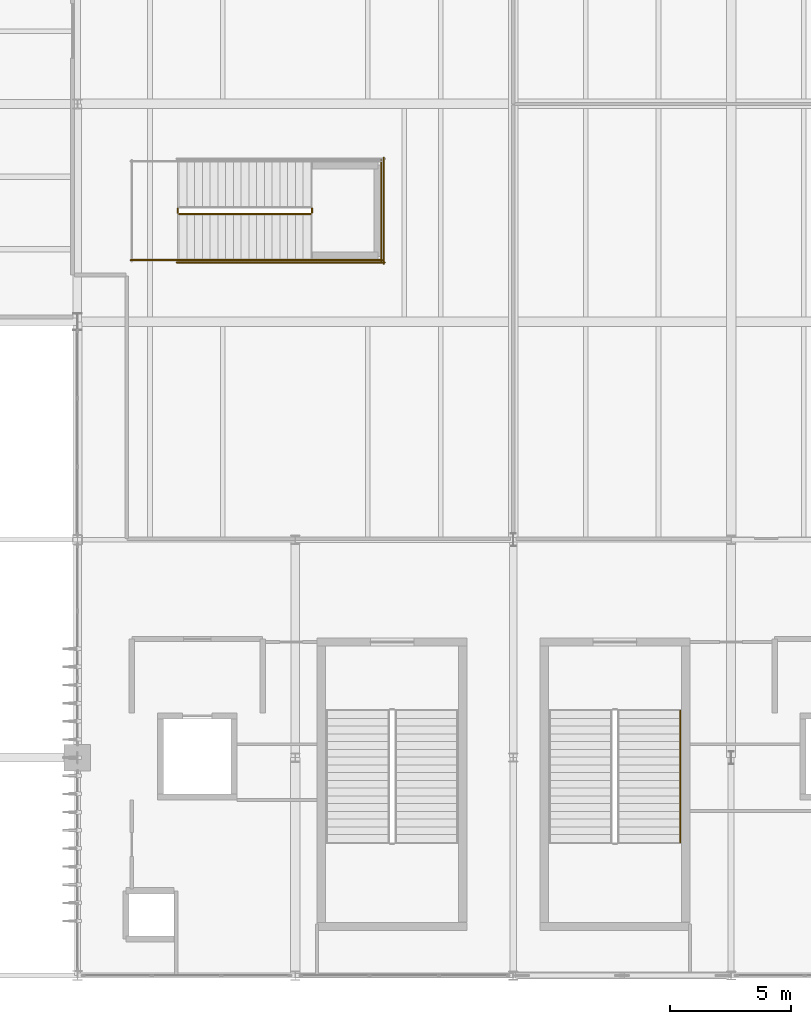
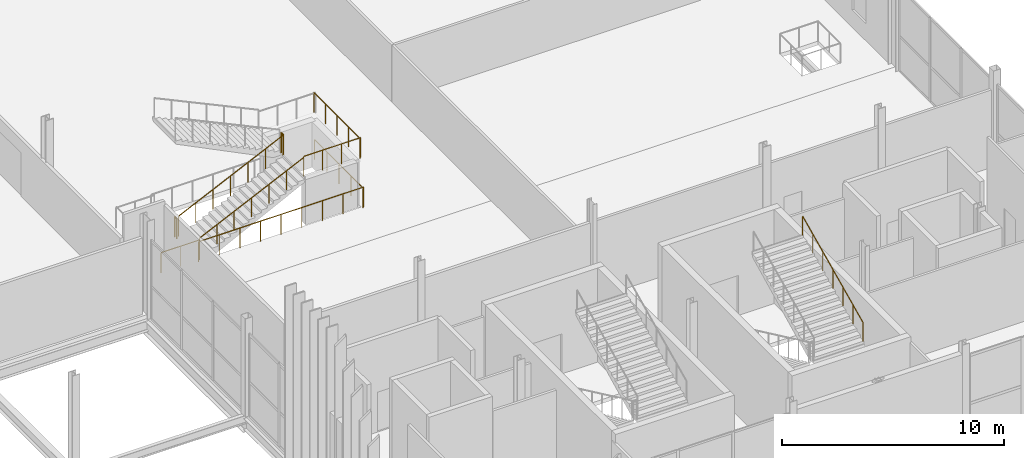
# One storey, part 110 of 119: 10 railings.
"""IFC4 building model written with IfcOpenShell, lengths in metres."""

from ifc_helpers import new_model, si_unit, direction, frame, origin, origin_2d, place, context, subcontext, project, spatial, circle, extrude, material, type_object, element, save


model = new_model("IFC4")

# Units and contexts
model_context = context("Model", 3, precision=1e-05, world=origin(), true_north=direction((0.0, 1.0)))
body_context = subcontext(model_context, "Body", "Model", "MODEL_VIEW")
ifc_project = project(units=[si_unit("LENGTHUNIT", "METRE"), si_unit("AREAUNIT", "SQUARE_METRE"), si_unit("VOLUMEUNIT", "CUBIC_METRE"), si_unit("PLANEANGLEUNIT", "RADIAN"), si_unit("MASSUNIT", "GRAM", prefix="KILO")], contexts=[model_context])

# Site, building, storey
site_placement = place(None, origin())
site = spatial("IfcSite", under=ifc_project, at=site_placement, CompositionType="ELEMENT")
building_placement = place(site_placement, origin())
building = spatial("IfcBuilding", under=site, at=building_placement, Name="Qamarlyn Nura Convention Centre", CompositionType="ELEMENT")
storey_placement = place(building_placement, frame((0.0, 0.0, 5.39990234375)))
storey = spatial("IfcBuildingStorey", under=building, at=storey_placement, Name="L01", CompositionType="ELEMENT", Elevation=5.39990234375)

# Railings
ifc_material = material(Name="Marine Grade 316 stainless steel", Category="steel")
railing_type_1 = type_object("IfcRailingType", Name="GRD-STAIR-112", PredefinedType="BALUSTRADE", material=ifc_material)
railing_1_placement = place(storey_placement, frame((157.199951171875, 31.449951171875, 0.150146484375)))
element("IfcRailing", 1, at=railing_1_placement, inside=storey, type_object=railing_type_1, Name="L01 ST-20 stair guard 1", PredefinedType="BALUSTRADE", context=body_context, shape_type="SweptSolid", body=[
    extrude(circle(Radius=0.02392578125, at=origin_2d()), frame((0.0, 0.0, 1.09619140625), z_axis=(0.90545405566, 0.0, 0.424444287379), x_axis=(0.0, 1.0, 0.0)), (0.0, 0.0, 1.0), 6.008056640625),
    extrude(circle(Radius=0.02099609375, at=origin_2d()), origin(), (0.0, 0.0, 1.0), 1.070068359375),
    extrude(circle(Radius=0.02099609375, at=origin_2d()), frame((0.90673828125, 0.0, 0.425048828125)), (0.0, 0.0, 1.0), 1.070068359375),
    extrude(circle(Radius=0.02099609375, at=origin_2d()), frame((1.813232421875, 0.0, 0.85009765625)), (0.0, 0.0, 1.0), 1.070068359375),
    extrude(circle(Radius=0.02099609375, at=origin_2d()), frame((2.719970703125, 0.0, 1.27490234375)), (0.0, 0.0, 1.0), 1.070068359375),
    extrude(circle(Radius=0.02099609375, at=origin_2d()), frame((3.626708984375, 0.0, 1.699951171875)), (0.0, 0.0, 1.0), 1.070068359375),
    extrude(circle(Radius=0.02099609375, at=origin_2d()), frame((4.533203125, 0.0, 2.125)), (0.0, 0.0, 1.0), 1.070068359375),
    extrude(circle(Radius=0.02099609375, at=origin_2d()), frame((5.43994140625, 0.0, 2.550048828125)), (0.0, 0.0, 1.0), 1.070068359375),
])
railing_2_placement = place(storey_placement, frame((162.68994140625, 31.5, 2.7001953125)))
element("IfcRailing", 2, at=railing_2_placement, inside=storey, type_object=railing_type_1, Name="L01 ST-20 stair guard 2", PredefinedType="BALUSTRADE", context=body_context, shape_type="SweptSolid", body=[
    extrude(circle(Radius=0.02392578125, at=origin_2d()), frame((0.0, 0.0, 1.09619140625), z_axis=(0.0, 1.0, 0.0), x_axis=(-1.0, 0.0, 0.0)), (0.0, 0.0, 1.0), 0.179931640625),
    extrude(circle(Radius=0.02099609375, at=origin_2d()), origin(), (0.0, 0.0, 1.0), 1.070068359375),
    extrude(circle(Radius=0.02099609375, at=origin_2d()), frame((0.0, 0.179931640625, 0.0)), (0.0, 0.0, 1.0), 1.070068359375),
])
railing_3_placement = place(storey_placement, frame((162.639892578125, 29.550048828125, 2.7001953125)))
element("IfcRailing", 3, at=railing_3_placement, inside=storey, type_object=railing_type_1, Name="L01 ST-20 stair guard 3", PredefinedType="BALUSTRADE", context=body_context, shape_type="SweptSolid", body=[
    extrude(circle(Radius=0.02392578125, at=origin_2d()), frame((0.0, 0.0, 1.09619140625), z_axis=(1.0, 0.0, 0.0), x_axis=(0.0, 1.0, 0.0)), (0.0, 0.0, 1.0), 2.960205078125),
    extrude(circle(Radius=0.02099609375, at=origin_2d()), origin(), (0.0, 0.0, 1.0), 1.070068359375),
    extrude(circle(Radius=0.02099609375, at=origin_2d()), frame((0.98681640625, 0.0, 0.0)), (0.0, 0.0, 1.0), 1.070068359375),
    extrude(circle(Radius=0.02099609375, at=origin_2d()), frame((1.973388671875, 0.0, 0.0)), (0.0, 0.0, 1.0), 1.070068359375),
    extrude(circle(Radius=0.02099609375, at=origin_2d()), frame((2.960205078125, 0.0, 0.0)), (0.0, 0.0, 1.0), 1.070068359375),
])
railing_4_placement = place(storey_placement, frame((165.550048828125, 29.5, 2.7001953125)))
element("IfcRailing", 4, at=railing_4_placement, inside=storey, type_object=railing_type_1, Name="L01 ST-20 stair guard 5", PredefinedType="BALUSTRADE", context=body_context, shape_type="SweptSolid", body=[
    extrude(circle(Radius=0.02392578125, at=origin_2d()), frame((0.0, 0.0, 1.09619140625), z_axis=(0.0, 1.0, 0.0), x_axis=(-1.0, 0.0, 0.0)), (0.0, 0.0, 1.0), 4.179931640625),
    extrude(circle(Radius=0.02099609375, at=origin_2d()), origin(), (0.0, 0.0, 1.0), 1.070068359375),
    extrude(circle(Radius=0.02099609375, at=origin_2d()), frame((0.0, 1.044921875, 0.0)), (0.0, 0.0, 1.0), 1.070068359375),
    extrude(circle(Radius=0.02099609375, at=origin_2d()), frame((0.0, 2.08984375, 0.0)), (0.0, 0.0, 1.0), 1.070068359375),
    extrude(circle(Radius=0.02099609375, at=origin_2d()), frame((0.0, 3.135009765625, 0.0)), (0.0, 0.0, 1.0), 1.070068359375),
    extrude(circle(Radius=0.02099609375, at=origin_2d()), frame((0.0, 4.179931640625, 0.0)), (0.0, 0.0, 1.0), 1.070068359375),
])
railing_5_placement = place(storey_placement, frame((157.14990234375, 31.5, 0.0)))
element("IfcRailing", 5, at=railing_5_placement, inside=storey, type_object=railing_type_1, Name="L01 ST-20 stair guard 7", PredefinedType="BALUSTRADE", context=body_context, shape_type="SweptSolid", body=[
    extrude(circle(Radius=0.02392578125, at=origin_2d()), frame((0.0, 0.0, 1.09619140625), z_axis=(0.0, 1.0, 0.0), x_axis=(-1.0, 0.0, 0.0)), (0.0, 0.0, 1.0), 0.179931640625),
    extrude(circle(Radius=0.02099609375, at=origin_2d()), origin(), (0.0, 0.0, 1.0), 1.070068359375),
    extrude(circle(Radius=0.02099609375, at=origin_2d()), frame((0.0, 0.179931640625, 0.0)), (0.0, 0.0, 1.0), 1.070068359375),
])
railing_6_placement = place(storey_placement, frame((155.199951171875, 29.550048828125, 0.0)))
element("IfcRailing", 6, at=railing_6_placement, inside=storey, type_object=railing_type_1, Name="L01 ST-20 stair guard 8", PredefinedType="BALUSTRADE", context=body_context, shape_type="SweptSolid", body=[
    extrude(circle(Radius=0.02392578125, at=origin_2d()), frame((0.0, 0.0, 1.09619140625), z_axis=(1.0, 0.0, 0.0), x_axis=(0.0, 1.0, 0.0)), (0.0, 0.0, 1.0), 2.0),
    extrude(circle(Radius=0.02099609375, at=origin_2d()), origin(), (0.0, 0.0, 1.0), 1.070068359375),
    extrude(circle(Radius=0.02099609375, at=origin_2d()), frame((1.0, 0.0, 0.0)), (0.0, 0.0, 1.0), 1.070068359375),
    extrude(circle(Radius=0.02099609375, at=origin_2d()), frame((2.0, 0.0, 0.0)), (0.0, 0.0, 1.0), 1.070068359375),
])
railing_7_placement = place(storey_placement, frame((157.10009765625, 29.449951171875, 0.0)))
element("IfcRailing", 7, at=railing_7_placement, inside=storey, type_object=railing_type_1, Name="L01 ST-20 stair guard 11", PredefinedType="BALUSTRADE", context=body_context, shape_type="SweptSolid", body=[
    extrude(circle(Radius=0.02392578125, at=origin_2d()), frame((0.0, 0.0, 1.09619140625), z_axis=(1.0, 0.0, 0.0), x_axis=(0.0, 1.0, 0.0)), (0.0, 0.0, 1.0), 8.599853515625),
    extrude(circle(Radius=0.02099609375, at=origin_2d()), origin(), (0.0, 0.0, 1.0), 1.070068359375),
    extrude(circle(Radius=0.02099609375, at=origin_2d()), frame((1.074951171875, 0.0, 0.0)), (0.0, 0.0, 1.0), 1.070068359375),
    extrude(circle(Radius=0.02099609375, at=origin_2d()), frame((2.14990234375, 0.0, 0.0)), (0.0, 0.0, 1.0), 1.070068359375),
    extrude(circle(Radius=0.02099609375, at=origin_2d()), frame((3.224853515625, 0.0, 0.0)), (0.0, 0.0, 1.0), 1.070068359375),
    extrude(circle(Radius=0.02099609375, at=origin_2d()), frame((4.2998046875, 0.0, 0.0)), (0.0, 0.0, 1.0), 1.070068359375),
    extrude(circle(Radius=0.02099609375, at=origin_2d()), frame((5.375, 0.0, 0.0)), (0.0, 0.0, 1.0), 1.070068359375),
    extrude(circle(Radius=0.02099609375, at=origin_2d()), frame((6.449951171875, 0.0, 0.0)), (0.0, 0.0, 1.0), 1.070068359375),
    extrude(circle(Radius=0.02099609375, at=origin_2d()), frame((7.52490234375, 0.0, 0.0)), (0.0, 0.0, 1.0), 1.070068359375),
    extrude(circle(Radius=0.02099609375, at=origin_2d()), frame((8.599853515625, 0.0, 0.0)), (0.0, 0.0, 1.0), 1.070068359375),
])
railing_8_placement = place(storey_placement, frame((165.64990234375, 29.39990234375, 0.0)))
element("IfcRailing", 8, at=railing_8_placement, inside=storey, type_object=railing_type_1, Name="L01 ST-20 stair guard 13", PredefinedType="BALUSTRADE", context=body_context, shape_type="SweptSolid", body=[
    extrude(circle(Radius=0.02392578125, at=origin_2d()), frame((0.0, 0.0, 1.09619140625), z_axis=(0.0, 1.0, 0.0), x_axis=(-1.0, 0.0, 0.0)), (0.0, 0.0, 1.0), 4.380126953125),
    extrude(circle(Radius=0.02099609375, at=origin_2d()), origin(), (0.0, 0.0, 1.0), 1.070068359375),
    extrude(circle(Radius=0.02099609375, at=origin_2d()), frame((0.0, 1.094970703125, 0.0)), (0.0, 0.0, 1.0), 1.070068359375),
    extrude(circle(Radius=0.02099609375, at=origin_2d()), frame((0.0, 2.18994140625, 0.0)), (0.0, 0.0, 1.0), 1.070068359375),
    extrude(circle(Radius=0.02099609375, at=origin_2d()), frame((0.0, 3.28515625, 0.0)), (0.0, 0.0, 1.0), 1.070068359375),
    extrude(circle(Radius=0.02099609375, at=origin_2d()), frame((0.0, 4.380126953125, 0.0)), (0.0, 0.0, 1.0), 1.070068359375),
])
railing_type_2 = type_object("IfcRailingType", Name="HRL-STAIR-090", PredefinedType="HANDRAIL", material=ifc_material)
railing_9_placement = place(storey_placement, frame((177.89990234375, 5.5, 3.00244140625)))
element("IfcRailing", 9, at=railing_9_placement, inside=storey, type_object=railing_type_2, Name="L01 ST-10 stair handrail 2", PredefinedType="HANDRAIL", context=body_context, shape_type="SweptSolid", body=[
    extrude(circle(Radius=0.02392578125, at=origin_2d()), frame((0.0, 0.0, 0.88818359375), z_axis=(0.0, 0.90545405566, 0.424444287379), x_axis=(-1.0, 0.0, 0.0)), (0.0, 0.0, 1.0), 6.008056640625),
    extrude(circle(Radius=0.02099609375, at=origin_2d()), frame((0.0, 0.0, -0.155029296875)), (0.0, 0.0, 1.0), 1.01708984375),
    extrude(circle(Radius=0.02099609375, at=origin_2d()), frame((0.0, 0.90673828125, 0.27001953125)), (0.0, 0.0, 1.0), 1.01708984375),
    extrude(circle(Radius=0.02099609375, at=origin_2d()), frame((0.0, 1.813232421875, 0.695068359375)), (0.0, 0.0, 1.0), 1.01708984375),
    extrude(circle(Radius=0.02099609375, at=origin_2d()), frame((0.0, 2.719970703125, 1.1201171875)), (0.0, 0.0, 1.0), 1.01708984375),
    extrude(circle(Radius=0.02099609375, at=origin_2d()), frame((0.0, 3.626708984375, 1.544921875)), (0.0, 0.0, 1.0), 1.01708984375),
    extrude(circle(Radius=0.02099609375, at=origin_2d()), frame((0.0, 4.533203125, 1.969970703125)), (0.0, 0.0, 1.0), 1.01708984375),
    extrude(circle(Radius=0.02099609375, at=origin_2d()), frame((0.0, 5.43994140625, 2.39501953125)), (0.0, 0.0, 1.0), 1.01708984375),
])
railing_10_placement = place(storey_placement, frame((157.199951171875, 29.550048828125, 0.302490234375)))
element("IfcRailing", 10, at=railing_10_placement, inside=storey, type_object=railing_type_2, Name="L01 ST-20 stair handrail 1", PredefinedType="HANDRAIL", context=body_context, shape_type="SweptSolid", body=[
    extrude(circle(Radius=0.02392578125, at=origin_2d()), frame((0.0, 0.0, 0.88818359375), z_axis=(0.90546967238, 0.0, 0.424410971113), x_axis=(0.0, 1.0, 0.0)), (0.0, 0.0, 1.0), 6.0078125),
    extrude(circle(Radius=0.02099609375, at=origin_2d()), frame((0.0, 0.0, -0.155029296875)), (0.0, 0.0, 1.0), 1.01708984375),
    extrude(circle(Radius=0.02099609375, at=origin_2d()), frame((0.90673828125, 0.0, 0.27001953125)), (0.0, 0.0, 1.0), 1.01708984375),
    extrude(circle(Radius=0.02099609375, at=origin_2d()), frame((1.813232421875, 0.0, 0.69482421875)), (0.0, 0.0, 1.0), 1.01708984375),
    extrude(circle(Radius=0.02099609375, at=origin_2d()), frame((2.719970703125, 0.0, 1.119873046875)), (0.0, 0.0, 1.0), 1.01708984375),
    extrude(circle(Radius=0.02099609375, at=origin_2d()), frame((3.626708984375, 0.0, 1.544921875)), (0.0, 0.0, 1.0), 1.01708984375),
    extrude(circle(Radius=0.02099609375, at=origin_2d()), frame((4.533203125, 0.0, 1.9697265625)), (0.0, 0.0, 1.0), 1.01708984375),
    extrude(circle(Radius=0.02099609375, at=origin_2d()), frame((5.43994140625, 0.0, 2.394775390625)), (0.0, 0.0, 1.0), 1.01708984375),
])

save(model, "model.ifc")
